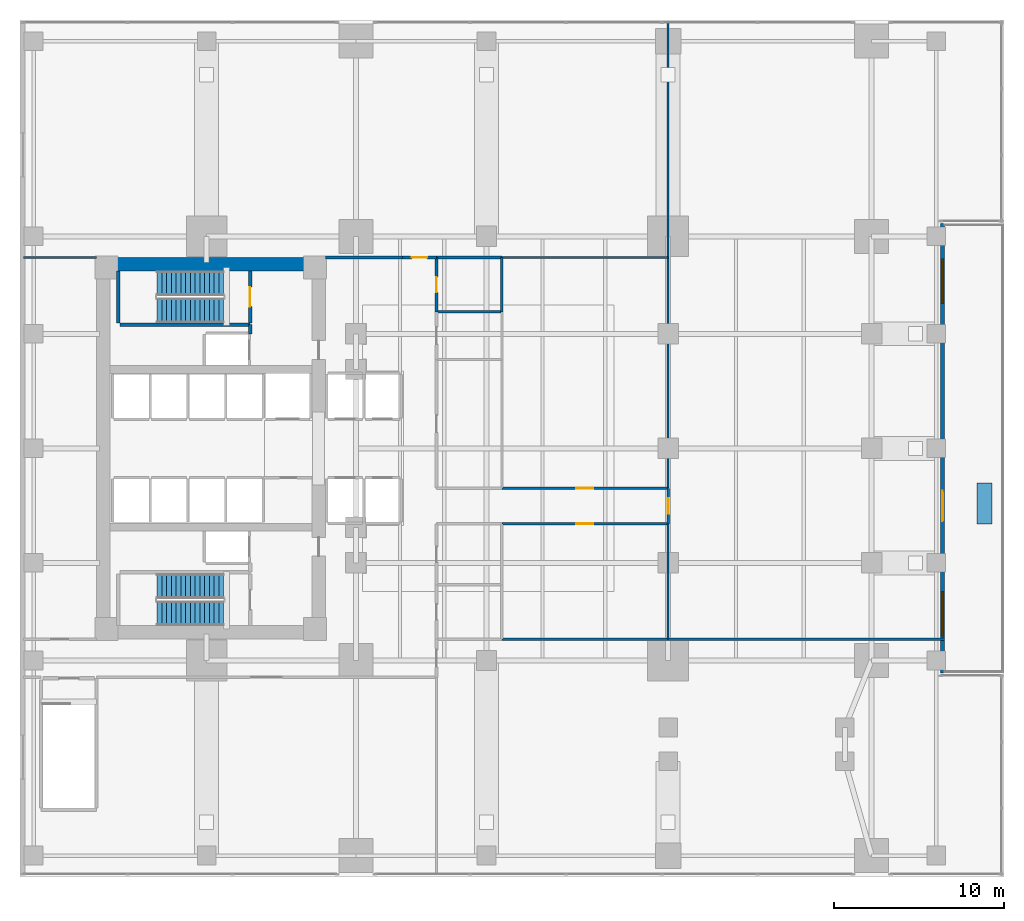
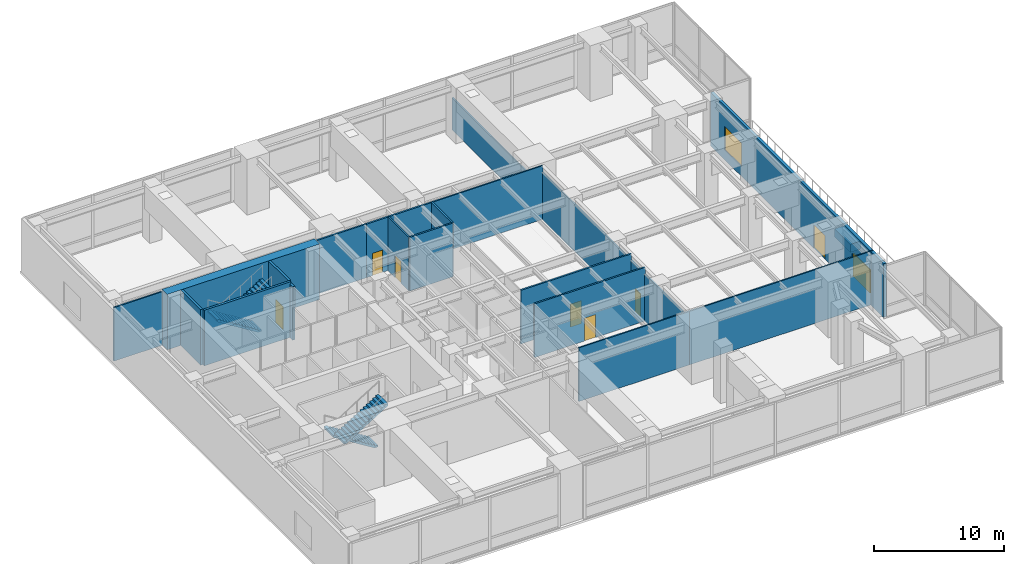
# One storey, part 10 of 14: 22 walls, 7 doors, 4 stair flights, 2 windows, 1 discrete accessory, 9 openings, 2 elements without a shape of their own.
"""IFC4 building model written with IfcOpenShell, lengths in metres."""

from ifc_helpers import new_model, si_unit, direction, frame, frame_2d, origin, origin_2d, place, context, subcontext, project, spatial, polyline, rectangle, outline, extrude, material, layer, layer_set, type_object, element, fill, aggregate, save


model = new_model("IFC4")

# Units and contexts
model_context = context("Model", 3, precision=1e-05, world=origin(), true_north=direction((0.0, 1.0)))
body_context = subcontext(model_context, "Body", "Model", "MODEL_VIEW")
ifc_project = project(units=[si_unit("LENGTHUNIT", "METRE"), si_unit("AREAUNIT", "SQUARE_METRE"), si_unit("VOLUMEUNIT", "CUBIC_METRE"), si_unit("PLANEANGLEUNIT", "RADIAN"), si_unit("MASSUNIT", "GRAM", prefix="KILO")], contexts=[model_context])

# Site, building, storey
site_placement = place(None, origin())
site = spatial("IfcSite", under=ifc_project, at=site_placement, CompositionType="ELEMENT")
building_placement = place(site_placement, origin())
building = spatial("IfcBuilding", under=site, at=building_placement, Name="Kinhvarn Gate Tower", CompositionType="ELEMENT")
storey_placement = place(building_placement, frame((0.0, 0.0, 20.39990234375)))
storey = spatial("IfcBuildingStorey", under=building, at=storey_placement, Name="L04", CompositionType="ELEMENT", Elevation=20.39990234375)

# Wall
ifc_material_1 = material(Name="Concrete C70/85", Category="concrete")
ifc_layer_1 = layer(ifc_material_1, 0.800048828125)
ifc_layer_set_1 = layer_set([ifc_layer_1], Name="Concrete C70/85")
wall_type_1 = type_object("IfcWallType", Name="WL-CORE-800", PredefinedType="SHEAR", material=ifc_layer_set_1)
wall_1_placement = place(storey_placement, frame((4.5, 36.10009765625, 0.0), z_axis=(0.0, 0.0, 1.0), x_axis=(1.0, 0.0, 0.0)))
element("IfcWall", 1, at=wall_1_placement, inside=storey, type_object=wall_type_1, Name="Core North Shear Wall L04 800 mm", PredefinedType="SHEAR", context=body_context, shape_type="SweptSolid", body=[
    extrude(rectangle(XDim=13.5, YDim=0.800048828125, at=frame_2d((6.75, 0.0))), origin(), (0.0, 0.0, 1.0), 5.2001953125),
])

# Wall, openings, door, windows
ifc_material_2 = material(Name="Fired architectural terracotta", Category="masonry")
ifc_layer_2 = layer(ifc_material_2, 0.25)
ifc_layer_set_2 = layer_set([ifc_layer_2], Name="Fired architectural terracotta")
wall_type_2 = type_object("IfcWallType", Name="WL-EXT-250", PredefinedType="SOLIDWALL", material=ifc_layer_set_2)
wall_2_placement = place(storey_placement, frame((54.375, 12.0, 0.0), z_axis=(0.0, 0.0, 1.0), x_axis=(0.0, 1.0, 0.0)))
wall_2 = element("IfcWall", 2, at=wall_2_placement, inside=storey, type_object=wall_type_2, Name="Exterior Solidwall Wall EW-250 (L04 East-Terrace-Wall)", PredefinedType="SOLIDWALL", context=body_context, shape_type="SweptSolid", body=[
    extrude(rectangle(XDim=26.5, YDim=0.25, at=frame_2d((13.25, 0.0))), origin(), (0.0, 0.0, 1.0), 5.02001953125),
])
opening_1_placement = place(wall_2_placement, frame((8.949951171875, 0.0, 0.0)))
opening_1 = element("IfcOpeningElement", 3, at=opening_1_placement, cuts=wall_2, Name="Opening TD-01", PredefinedType="OPENING", context=body_context, shape_type="SweptSolid", body=[
    extrude(rectangle(XDim=1.800048828125, YDim=2.199951171875, at=frame_2d((0.89990234375, 1.10009765625))), frame((0.0, 0.135009765625, 0.0), z_axis=(0.0, -1.0, 0.0), x_axis=(1.0, 0.0, 0.0)), (0.0, 0.0, 1.0), 0.27001953125),
])
opening_2_placement = place(wall_2_placement, frame((2.199951171875, 0.0, 0.89990234375)))
opening_2 = element("IfcOpeningElement", 4, at=opening_2_placement, cuts=wall_2, Name="Opening WN-03", PredefinedType="OPENING", context=body_context, shape_type="SweptSolid", body=[
    extrude(rectangle(XDim=2.60009765625, YDim=2.199951171875, at=frame_2d((1.300048828125, 1.10009765625))), frame((0.0, 0.135009765625, 0.0), z_axis=(0.0, -1.0, 0.0), x_axis=(1.0, 0.0, 0.0)), (0.0, 0.0, 1.0), 0.27001953125),
])
opening_3_placement = place(wall_2_placement, frame((21.800048828125, 0.0, 0.89990234375)))
opening_3 = element("IfcOpeningElement", 5, at=opening_3_placement, cuts=wall_2, Name="Opening WN-03", PredefinedType="OPENING", context=body_context, shape_type="SweptSolid", body=[
    extrude(rectangle(XDim=2.60009765625, YDim=2.199951171875, at=frame_2d((1.300048828125, 1.10009765625))), frame((0.0, 0.135009765625, 0.0), z_axis=(0.0, -1.0, 0.0), x_axis=(1.0, 0.0, 0.0)), (0.0, 0.0, 1.0), 0.27001953125),
])
ifc_material_3 = material(Name="Clear low-e double glazing", Category="glass")
door_type_1 = type_object("IfcDoorType", Name="DR-TER-1800", OperationType="NOTDEFINED", PredefinedType="DOOR", material=ifc_material_3)
door_1_placement = place(opening_1_placement, frame((1.800048828125, 0.0, 0.0), z_axis=(0.0, 0.0, 1.0), x_axis=(-1.0, 0.0, 0.0)))
door_1 = element("IfcDoor", 6, at=door_1_placement, inside=storey, type_object=door_type_1, Name="Podium Setback Terrace Door TD-01", OperationType="DOUBLE_DOOR_SINGLE_SWING", OverallHeight=2.199951171875, OverallWidth=1.800048828125, PredefinedType="DOOR", context=body_context, shape_type="SweptSolid", body=[
    extrude(rectangle(XDim=1.800048828125, YDim=2.199951171875, at=frame_2d((0.89990234375, 1.10009765625))), frame((0.0, 0.02490234375, 0.0), z_axis=(0.0, -1.0, 0.0), x_axis=(1.0, 0.0, 0.0)), (0.0, 0.0, 1.0), 0.050048828125),
])
fill(opening_1, door_1)
window_type = type_object("IfcWindowType", Name="WIN-POD-2600", PartitioningType="SINGLE_PANEL", PredefinedType="WINDOW", material=ifc_material_3)
window_1_placement = place(opening_2_placement, origin())
window_1 = element("IfcWindow", 7, at=window_1_placement, inside=storey, type_object=window_type, Name="Podium Gallery Punched Window 2600x2200 mm (L04)", OverallHeight=2.199951171875, OverallWidth=2.60009765625, PartitioningType="SINGLE_PANEL", PredefinedType="WINDOW", context=body_context, shape_type="SweptSolid", body=[
    extrude(rectangle(XDim=2.60009765625, YDim=2.199951171875, at=frame_2d((1.300048828125, 1.10009765625))), frame((0.0, 0.030029296875, 0.0), z_axis=(0.0, -1.0, 0.0), x_axis=(1.0, 0.0, 0.0)), (0.0, 0.0, 1.0), 0.06005859375),
])
fill(opening_2, window_1)
window_2_placement = place(opening_3_placement, origin())
window_2 = element("IfcWindow", 8, at=window_2_placement, inside=storey, type_object=window_type, Name="Podium Gallery Punched Window 2600x2200 mm (L04)", OverallHeight=2.199951171875, OverallWidth=2.60009765625, PartitioningType="SINGLE_PANEL", PredefinedType="WINDOW", context=body_context, shape_type="SweptSolid", body=[
    extrude(rectangle(XDim=2.60009765625, YDim=2.199951171875, at=frame_2d((1.300048828125, 1.10009765625))), frame((0.0, 0.030029296875, 0.0), z_axis=(0.0, -1.0, 0.0), x_axis=(1.0, 0.0, 0.0)), (0.0, 0.0, 1.0), 0.06005859375),
])
fill(opening_3, window_2)

# Walls
ifc_material_4 = material(Name="Gypsum acoustic partition board")
ifc_layer_3 = layer(ifc_material_4, 0.14990234375)
ifc_layer_set_3 = layer_set([ifc_layer_3], Name="Gypsum acoustic partition board")
wall_type_3 = type_object("IfcWallType", Name="WL-PLM-150", PredefinedType="PLUMBINGWALL", material=ifc_layer_set_3)
for number, where, z_axis, x_axis, name in (
    (9, (24.550048828125, 36.5, 0.0), (0.0, 0.0, 1.0), (1.0, 0.0, 0.0), "Interior Partition PLW-150 (L04)"),
    (10, (24.550048828125, 33.300048828125, 0.0), (0.0, 0.0, 1.0), (1.0, 0.0, 0.0), "Interior Partition PLW-150 (L04)"),
):
    element("IfcWall", number, at=place(storey_placement, frame(where, z_axis=z_axis, x_axis=x_axis)), inside=storey, type_object=wall_type_3, Name=name, PredefinedType="PLUMBINGWALL", context=body_context, shape_type="SweptSolid", body=[
        extrude(rectangle(XDim=3.849853515625, YDim=0.14990234375, at=frame_2d((1.9248046875, 0.0))), origin(), (0.0, 0.0, 1.0), 5.02001953125),
    ])
wall_3_placement = place(storey_placement, frame((28.39990234375, 33.300048828125, 0.0), z_axis=(0.0, 0.0, 1.0), x_axis=(0.0, 1.0, 0.0)))
element("IfcWall", 11, at=wall_3_placement, inside=storey, type_object=wall_type_3, Name="Interior Partition PLW-150 (L04)", PredefinedType="PLUMBINGWALL", context=body_context, shape_type="SweptSolid", body=[
    extrude(rectangle(XDim=3.199951171875, YDim=0.14990234375, at=frame_2d((1.60009765625, 0.0))), origin(), (0.0, 0.0, 1.0), 5.02001953125),
])

# Wall, opening, door
ifc_layer_4 = layer(ifc_material_4, 0.14990234375)
ifc_layer_set_4 = layer_set([ifc_layer_4], Name="Gypsum acoustic partition board")
wall_type_4 = type_object("IfcWallType", Name="WL-PLM-150F", PredefinedType="PLUMBINGWALL", material=ifc_layer_set_4)
wall_4_placement = place(storey_placement, frame((24.550048828125, 33.300048828125, 0.0), z_axis=(0.0, 0.0, 1.0), x_axis=(0.0, 1.0, 0.0)))
wall_4 = element("IfcWall", 12, at=wall_4_placement, inside=storey, type_object=wall_type_4, Name="Interior Partition PLW-150F (L04)", PredefinedType="PLUMBINGWALL", context=body_context, shape_type="SweptSolid", body=[
    extrude(rectangle(XDim=3.199951171875, YDim=0.14990234375, at=frame_2d((1.60009765625, 0.0))), origin(), (0.0, 0.0, 1.0), 5.02001953125),
])
opening_4_placement = place(wall_4_placement, frame((1.14990234375, 0.0, 0.0)))
opening_4 = element("IfcOpeningElement", 13, at=opening_4_placement, cuts=wall_4, Name="Opening FD-04", PredefinedType="OPENING", context=body_context, shape_type="SweptSolid", body=[
    extrude(rectangle(XDim=0.89990234375, YDim=2.10009765625, at=frame_2d((0.449951171875, 1.050048828125))), frame((0.0, 0.0849609375, 0.0), z_axis=(0.0, -1.0, 0.0), x_axis=(1.0, 0.0, 0.0)), (0.0, 0.0, 1.0), 0.169921875),
])
ifc_material_5 = material(Name="Anodised aluminium AW-6063", Category="aluminium")
door_type_2 = type_object("IfcDoorType", Name="DR-FD-900", OperationType="NOTDEFINED", PredefinedType="DOOR", material=ifc_material_5)
door_2_placement = place(opening_4_placement, origin())
door_2 = element("IfcDoor", 14, at=door_2_placement, inside=storey, type_object=door_type_2, Name="Rated Riser & Service Closet Fire Door 900x2100 mm (L04)", OperationType="SINGLE_SWING_RIGHT", OverallHeight=2.10009765625, OverallWidth=0.89990234375, PredefinedType="DOOR", context=body_context, shape_type="SweptSolid", body=[
    extrude(rectangle(XDim=0.89990234375, YDim=2.10009765625, at=frame_2d((0.449951171875, 1.050048828125))), frame((0.0, 0.02490234375, 0.0), z_axis=(0.0, -1.0, 0.0), x_axis=(1.0, 0.0, 0.0)), (0.0, 0.0, 1.0), 0.050048828125),
])
fill(opening_4, door_2)

# Walls
ifc_layer_5 = layer(ifc_material_4, 0.1201171875)
ifc_layer_set_5 = layer_set([ifc_layer_5], Name="Gypsum acoustic partition board")
wall_type_5 = type_object("IfcWallType", Name="WL-PRT-120", PredefinedType="PARTITIONING", material=ifc_layer_set_5)
wall_5_placement = place(storey_placement, frame((0.199951171875, 36.5, 0.0), z_axis=(0.0, 0.0, 1.0), x_axis=(1.0, 0.0, 0.0)))
element("IfcWall", 15, at=wall_5_placement, inside=storey, type_object=wall_type_5, Name="Interior Partition PW-120 (L04)", PredefinedType="PARTITIONING", context=body_context, shape_type="SweptSolid", body=[
    extrude(rectangle(XDim=4.300048828125, YDim=0.1201171875, at=frame_2d((2.14990234375, 0.0))), origin(), (0.0, 0.0, 1.0), 5.02001953125),
])
wall_6_placement = place(storey_placement, frame((28.39990234375, 36.5, 0.0), z_axis=(0.0, 0.0, 1.0), x_axis=(1.0, 0.0, 0.0)))
element("IfcWall", 16, at=wall_6_placement, inside=storey, type_object=wall_type_5, Name="Interior Partition PW-120 (L04)", PredefinedType="PARTITIONING", context=body_context, shape_type="SweptSolid", body=[
    extrude(rectangle(XDim=9.800048828125, YDim=0.1201171875, at=frame_2d((4.89990234375, 0.0))), origin(), (0.0, 0.0, 1.0), 5.02001953125),
])
wall_7_placement = place(storey_placement, frame((38.199951171875, 36.5, 0.0), z_axis=(0.0, 0.0, 1.0), x_axis=(0.0, 1.0, 0.0)))
element("IfcWall", 17, at=wall_7_placement, inside=storey, type_object=wall_type_5, Name="Interior Partition PW-120 (L04)", PredefinedType="PARTITIONING", context=body_context, shape_type="SweptSolid", body=[
    extrude(rectangle(XDim=13.800048828125, YDim=0.1201171875, at=frame_2d((6.89990234375, 0.0))), origin(), (0.0, 0.0, 1.0), 3.0),
])
wall_8_placement = place(storey_placement, frame((28.39990234375, 14.0, 0.0), z_axis=(0.0, 0.0, 1.0), x_axis=(1.0, 0.0, 0.0)))
element("IfcWall", 18, at=wall_8_placement, inside=storey, type_object=wall_type_5, Name="Interior Partition PW-120 (L04)", PredefinedType="PARTITIONING", context=body_context, shape_type="SweptSolid", body=[
    extrude(rectangle(XDim=9.800048828125, YDim=0.1201171875, at=frame_2d((4.89990234375, 0.0))), origin(), (0.0, 0.0, 1.0), 5.02001953125),
])
wall_9_placement = place(storey_placement, frame((38.199951171875, 14.0, 0.0), z_axis=(0.0, 0.0, 1.0), x_axis=(0.0, 1.0, 0.0)))
element("IfcWall", 19, at=wall_9_placement, inside=storey, type_object=wall_type_5, Name="Interior Partition PW-120 (L04)", PredefinedType="PARTITIONING", context=body_context, shape_type="SweptSolid", body=[
    extrude(rectangle(XDim=6.800048828125, YDim=0.1201171875, at=frame_2d((3.39990234375, 0.0))), origin(), (0.0, 0.0, 1.0), 4.420166015625),
])
wall_10_placement = place(storey_placement, frame((38.199951171875, 22.89990234375, 0.0), z_axis=(0.0, 0.0, 1.0), x_axis=(0.0, 1.0, 0.0)))
element("IfcWall", 20, at=wall_10_placement, inside=storey, type_object=wall_type_5, Name="Interior Partition PW-120 (L04)", PredefinedType="PARTITIONING", context=body_context, shape_type="SweptSolid", body=[
    extrude(rectangle(XDim=13.60009765625, YDim=0.1201171875, at=frame_2d((6.800048828125, 0.0))), origin(), (0.0, 0.0, 1.0), 4.420166015625),
])
wall_11_placement = place(storey_placement, frame((38.199951171875, 14.0, 0.0), z_axis=(0.0, 0.0, 1.0), x_axis=(1.0, 0.0, 0.0)))
element("IfcWall", 21, at=wall_11_placement, inside=storey, type_object=wall_type_5, Name="Interior Partition PW-120 (L04)", PredefinedType="PARTITIONING", context=body_context, shape_type="SweptSolid", body=[
    extrude(rectangle(XDim=16.2900390625, YDim=0.1201171875, at=frame_2d((8.14501953125, 0.0))), origin(), (0.0, 0.0, 1.0), 5.02001953125),
])
ifc_layer_6 = layer(ifc_material_4, 0.14990234375)
ifc_layer_set_6 = layer_set([ifc_layer_6], Name="Gypsum acoustic partition board")
wall_type_6 = type_object("IfcWallType", Name="WL-PRT-150F", PredefinedType="PARTITIONING", material=ifc_layer_set_6)
wall_12_placement = place(storey_placement, frame((18.0, 36.5, 0.0), z_axis=(0.0, 0.0, 1.0), x_axis=(1.0, 0.0, 0.0)))
element("IfcWall", 22, at=wall_12_placement, inside=storey, type_object=wall_type_6, Name="Interior Partition PW-150F (L04)", PredefinedType="PARTITIONING", context=body_context, shape_type="SweptSolid", body=[
    extrude(rectangle(XDim=4.550048828125, YDim=0.14990234375, at=frame_2d((2.27490234375, 0.0))), origin(), (0.0, 0.0, 1.0), 5.02001953125),
])

# Wall, opening, door
wall_13_placement = place(storey_placement, frame((22.550048828125, 36.5, 0.0), z_axis=(0.0, 0.0, 1.0), x_axis=(1.0, 0.0, 0.0)))
wall_13 = element("IfcWall", 23, at=wall_13_placement, inside=storey, type_object=wall_type_6, Name="Interior Partition PW-150F (L04)", PredefinedType="PARTITIONING", context=body_context, shape_type="SweptSolid", body=[
    extrude(rectangle(XDim=2.0, YDim=0.14990234375, at=frame_2d((1.0, 0.0))), origin(), (0.0, 0.0, 1.0), 5.02001953125),
])
opening_5_placement = place(wall_13_placement, frame((0.550048828125, 0.0, 0.0)))
opening_5 = element("IfcOpeningElement", 24, at=opening_5_placement, cuts=wall_13, Name="Opening ID-03", PredefinedType="OPENING", context=body_context, shape_type="SweptSolid", body=[
    extrude(rectangle(XDim=0.89990234375, YDim=2.10009765625, at=frame_2d((0.449951171875, 1.050048828125))), frame((0.0, 0.0849609375, 0.0), z_axis=(0.0, -1.0, 0.0), x_axis=(1.0, 0.0, 0.0)), (0.0, 0.0, 1.0), 0.169921875),
])
door_type_3 = type_object("IfcDoorType", Name="DR-INT-900", OperationType="NOTDEFINED", PredefinedType="DOOR", material=ifc_material_5)
door_3_placement = place(opening_5_placement, origin())
door_3 = element("IfcDoor", 25, at=door_3_placement, inside=storey, type_object=door_type_3, Name="Cellular Office & Restroom Door 900x2100 mm (L04)", OperationType="SINGLE_SWING_RIGHT", OverallHeight=2.10009765625, OverallWidth=0.89990234375, PredefinedType="DOOR", context=body_context, shape_type="SweptSolid", body=[
    extrude(rectangle(XDim=0.89990234375, YDim=2.10009765625, at=frame_2d((0.449951171875, 1.050048828125))), frame((0.0, 0.02490234375, 0.0), z_axis=(0.0, -1.0, 0.0), x_axis=(1.0, 0.0, 0.0)), (0.0, 0.0, 1.0), 0.050048828125),
])
fill(opening_5, door_3)

wall_14_placement = place(storey_placement, frame((28.39990234375, 20.800048828125, 0.0), z_axis=(0.0, 0.0, 1.0), x_axis=(1.0, 0.0, 0.0)))
wall_14 = element("IfcWall", 26, at=wall_14_placement, inside=storey, type_object=wall_type_6, Name="Interior Partition PW-150F (L04)", PredefinedType="PARTITIONING", context=body_context, shape_type="SweptSolid", body=[
    extrude(rectangle(XDim=9.800048828125, YDim=0.14990234375, at=frame_2d((4.89990234375, 0.0))), origin(), (0.0, 0.0, 1.0), 5.02001953125),
])
opening_6_placement = place(wall_14_placement, frame((4.39990234375, 0.0, 0.0)))
opening_6 = element("IfcOpeningElement", 27, at=opening_6_placement, cuts=wall_14, Name="Opening ID-02", PredefinedType="OPENING", context=body_context, shape_type="SweptSolid", body=[
    extrude(rectangle(XDim=1.0, YDim=2.14990234375, at=frame_2d((0.5, 1.074951171875))), frame((0.0, 0.0849609375, 0.0), z_axis=(0.0, -1.0, 0.0), x_axis=(1.0, 0.0, 0.0)), (0.0, 0.0, 1.0), 0.169921875),
])
door_type_4 = type_object("IfcDoorType", Name="DR-INT-1000", OperationType="NOTDEFINED", PredefinedType="DOOR", material=ifc_material_5)
door_4_placement = place(opening_6_placement, origin())
door_4 = element("IfcDoor", 28, at=door_4_placement, inside=storey, type_object=door_type_4, Name="Standard Office & Meeting Room Door 1000x2150 mm (L04)", OperationType="SINGLE_SWING_RIGHT", OverallHeight=2.14990234375, OverallWidth=1.0, PredefinedType="DOOR", context=body_context, shape_type="SweptSolid", body=[
    extrude(rectangle(XDim=1.0, YDim=2.14990234375, at=frame_2d((0.5, 1.074951171875))), frame((0.0, 0.02490234375, 0.0), z_axis=(0.0, -1.0, 0.0), x_axis=(1.0, 0.0, 0.0)), (0.0, 0.0, 1.0), 0.050048828125),
])
fill(opening_6, door_4)

wall_15_placement = place(storey_placement, frame((28.39990234375, 22.89990234375, 0.0), z_axis=(0.0, 0.0, 1.0), x_axis=(1.0, 0.0, 0.0)))
wall_15 = element("IfcWall", 29, at=wall_15_placement, inside=storey, type_object=wall_type_6, Name="Interior Partition PW-150F (L04)", PredefinedType="PARTITIONING", context=body_context, shape_type="SweptSolid", body=[
    extrude(rectangle(XDim=9.800048828125, YDim=0.14990234375, at=frame_2d((4.89990234375, 0.0))), origin(), (0.0, 0.0, 1.0), 5.02001953125),
])
opening_7_placement = place(wall_15_placement, frame((4.39990234375, 0.0, 0.0)))
opening_7 = element("IfcOpeningElement", 30, at=opening_7_placement, cuts=wall_15, Name="Opening ID-02", PredefinedType="OPENING", context=body_context, shape_type="SweptSolid", body=[
    extrude(rectangle(XDim=1.0, YDim=2.14990234375, at=frame_2d((0.5, 1.074951171875))), frame((0.0, 0.0849609375, 0.0), z_axis=(0.0, -1.0, 0.0), x_axis=(1.0, 0.0, 0.0)), (0.0, 0.0, 1.0), 0.169921875),
])
door_5_placement = place(opening_7_placement, origin())
door_5 = element("IfcDoor", 31, at=door_5_placement, inside=storey, type_object=door_type_4, Name="Standard Office & Meeting Room Door 1000x2150 mm (L04)", OperationType="SINGLE_SWING_LEFT", OverallHeight=2.14990234375, OverallWidth=1.0, PredefinedType="DOOR", context=body_context, shape_type="SweptSolid", body=[
    extrude(rectangle(XDim=1.0, YDim=2.14990234375, at=frame_2d((0.5, 1.074951171875))), frame((0.0, 0.02490234375, 0.0), z_axis=(0.0, -1.0, 0.0), x_axis=(1.0, 0.0, 0.0)), (0.0, 0.0, 1.0), 0.050048828125),
])
fill(opening_7, door_5)

wall_16_placement = place(storey_placement, frame((38.199951171875, 20.800048828125, 0.0), z_axis=(0.0, 0.0, 1.0), x_axis=(0.0, 1.0, 0.0)))
wall_16 = element("IfcWall", 32, at=wall_16_placement, inside=storey, type_object=wall_type_6, Name="Interior Partition PW-150F (L04)", PredefinedType="PARTITIONING", context=body_context, shape_type="SweptSolid", body=[
    extrude(rectangle(XDim=2.099853515625, YDim=0.14990234375, at=frame_2d((1.0498046875, 0.0))), origin(), (0.0, 0.0, 1.0), 4.420166015625),
])
opening_8_placement = place(wall_16_placement, frame((0.60009765625, 0.0, 0.0)))
opening_8 = element("IfcOpeningElement", 33, at=opening_8_placement, cuts=wall_16, Name="Opening ID-03", PredefinedType="OPENING", context=body_context, shape_type="SweptSolid", body=[
    extrude(rectangle(XDim=0.89990234375, YDim=2.10009765625, at=frame_2d((0.449951171875, 1.050048828125))), frame((0.0, 0.0849609375, 0.0), z_axis=(0.0, -1.0, 0.0), x_axis=(1.0, 0.0, 0.0)), (0.0, 0.0, 1.0), 0.169921875),
])
door_6_placement = place(opening_8_placement, origin())
door_6 = element("IfcDoor", 34, at=door_6_placement, inside=storey, type_object=door_type_3, Name="Cellular Office & Restroom Door 900x2100 mm (L04)", OperationType="SINGLE_SWING_RIGHT", OverallHeight=2.10009765625, OverallWidth=0.89990234375, PredefinedType="DOOR", context=body_context, shape_type="SweptSolid", body=[
    extrude(rectangle(XDim=0.89990234375, YDim=2.10009765625, at=frame_2d((0.449951171875, 1.050048828125))), frame((0.0, 0.02490234375, 0.0), z_axis=(0.0, -1.0, 0.0), x_axis=(1.0, 0.0, 0.0)), (0.0, 0.0, 1.0), 0.050048828125),
])
fill(opening_8, door_6)

# Walls
ifc_layer_7 = layer(ifc_material_4, 0.199951171875)
ifc_layer_set_7 = layer_set([ifc_layer_7], Name="Gypsum acoustic partition board")
wall_type_7 = type_object("IfcWallType", Name="WL-PRT-200", PredefinedType="PARTITIONING", material=ifc_layer_set_7)
wall_17_placement = place(storey_placement, frame((13.580078125, 32.0, 0.0), z_axis=(0.0, 0.0, 1.0), x_axis=(0.0, 1.0, 0.0)))
element("IfcWall", 35, at=wall_17_placement, inside=storey, type_object=wall_type_7, Name="Interior Partition PW-200 (L04)", PredefinedType="PARTITIONING", context=body_context, shape_type="SweptSolid", body=[
    extrude(rectangle(XDim=0.5400390625, YDim=0.199951171875, at=frame_2d((0.27001953125, 0.0))), origin(), (0.0, 0.0, 1.0), 5.02001953125),
])
ifc_material_6 = material(Name="Concrete C40/50", Category="concrete")
ifc_layer_8 = layer(ifc_material_6, 0.199951171875)
ifc_layer_set_8 = layer_set([ifc_layer_8], Name="Concrete C40/50")
wall_type_8 = type_object("IfcWallType", Name="WL-SHF-200", PredefinedType="SOLIDWALL", material=ifc_layer_set_8)
wall_18_placement = place(storey_placement, frame((5.7900390625, 32.64990234375, 0.0), z_axis=(0.0, 0.0, 1.0), x_axis=(0.0, 1.0, 0.0)))
element("IfcWall", 36, at=wall_18_placement, inside=storey, type_object=wall_type_8, Name="Stair ST2 West Shaft Wall (L04)", PredefinedType="SOLIDWALL", context=body_context, shape_type="SweptSolid", body=[
    extrude(rectangle(XDim=3.050048828125, YDim=0.199951171875, at=frame_2d((1.52490234375, 0.0))), origin(), (0.0, 0.0, 1.0), 5.2001953125),
])
wall_19_placement = place(storey_placement, frame((5.89990234375, 32.5400390625, 0.0), z_axis=(0.0, 0.0, 1.0), x_axis=(1.0, 0.0, 0.0)))
element("IfcWall", 37, at=wall_19_placement, inside=storey, type_object=wall_type_8, Name="Stair ST2 South Shaft Wall (L04)", PredefinedType="SOLIDWALL", context=body_context, shape_type="SweptSolid", body=[
    extrude(rectangle(XDim=7.66015625, YDim=0.199951171875, at=frame_2d((3.830078125, 0.0))), origin(), (0.0, 0.0, 1.0), 5.2001953125),
])

# Wall, opening, door
wall_20_placement = place(storey_placement, frame((13.56005859375, 32.64990234375, 0.0), z_axis=(0.0, 0.0, 1.0), x_axis=(0.0, 1.0, 0.0)))
wall_20 = element("IfcWall", 38, at=wall_20_placement, inside=storey, type_object=wall_type_8, Name="Stair ST2 East Entry Wall (L04)", PredefinedType="SOLIDWALL", context=body_context, shape_type="SweptSolid", body=[
    extrude(rectangle(XDim=3.050048828125, YDim=0.199951171875, at=frame_2d((1.52490234375, 0.0))), origin(), (0.0, 0.0, 1.0), 5.2001953125),
])
opening_9_placement = place(wall_20_placement, frame((0.949951171875, 0.0, 0.0)))
opening_9 = element("IfcOpeningElement", 39, at=opening_9_placement, cuts=wall_20, Name="Opening FD-01", PredefinedType="OPENING", context=body_context, shape_type="SweptSolid", body=[
    extrude(rectangle(XDim=1.14990234375, YDim=2.14990234375, at=frame_2d((0.574951171875, 1.074951171875))), frame((0.0, 0.10986328125, 0.0), z_axis=(0.0, -1.0, 0.0), x_axis=(1.0, 0.0, 0.0)), (0.0, 0.0, 1.0), 0.219970703125),
])
door_type_5 = type_object("IfcDoorType", Name="DR-ST-1150", OperationType="NOTDEFINED", PredefinedType="DOOR", material=ifc_material_5)
door_7_placement = place(opening_9_placement, origin())
door_7 = element("IfcDoor", 40, at=door_7_placement, inside=storey, type_object=door_type_5, Name="Exit Stair ST2 Fire Door (L04)", OperationType="SINGLE_SWING_LEFT", OverallHeight=2.14990234375, OverallWidth=1.14990234375, PredefinedType="DOOR", context=body_context, shape_type="SweptSolid", body=[
    extrude(rectangle(XDim=1.14990234375, YDim=2.14990234375, at=frame_2d((0.574951171875, 1.074951171875))), frame((0.0, 0.02490234375, 0.0), z_axis=(0.0, -1.0, 0.0), x_axis=(1.0, 0.0, 0.0)), (0.0, 0.0, 1.0), 0.050048828125),
])
fill(opening_9, door_7)

# Stair, stair flights
stair_type = type_object("IfcStairType", Name="STR-DLG-173", PredefinedType="HALF_TURN_STAIR", material=ifc_material_6)
stair_1_placement = place(storey_placement, origin())
stair_1 = element("IfcStair", 41, at=stair_1_placement, inside=storey, type_object=stair_type, Name="L04 Core Smokeproof Exit Stair ST1", PredefinedType="HALF_TURN_STAIR")
stair_flight_type = type_object("IfcStairFlightType", Name="STF-DLG-173", PredefinedType="STRAIGHT", material=ifc_material_6)
stair_flight_1_placement = place(storey_placement, frame((12.0, 17.125, 0.0), z_axis=(0.0, 0.0, 1.0), x_axis=(-1.0, 0.0, 0.0)))
stair_flight_1 = element("IfcStairFlight", 42, at=stair_flight_1_placement, type_object=stair_flight_type, Name="ST1 flight 1", NumberOfRisers=15, NumberOfTreads=14, PredefinedType="STRAIGHT", RiserHeight=0.173333333, TreadLength=0.28, context=body_context, shape_type="SweptSolid", body=[
    extrude(outline(polyline([(0.0, 0.0), (0.0, 0.17333984375), (0.280029296875, 0.17333984375), (0.280029296875, 0.3466796875), (0.56005859375, 0.3466796875), (0.56005859375, 0.52001953125), (0.840087890625, 0.52001953125), (0.840087890625, 0.693359375), (1.1201171875, 0.693359375), (1.1201171875, 0.86669921875), (1.39990234375, 0.86669921875), (1.39990234375, 1.0400390625), (1.679931640625, 1.0400390625), (1.679931640625, 1.21337890625), (1.9599609375, 1.21337890625), (1.9599609375, 1.38671875), (2.239990234375, 1.38671875), (2.239990234375, 1.56005859375), (2.52001953125, 1.56005859375), (2.52001953125, 1.7333984375), (2.800048828125, 1.7333984375), (2.800048828125, 1.90673828125), (3.080078125, 1.90673828125), (3.080078125, 2.080078125), (3.360107421875, 2.080078125), (3.360107421875, 2.25341796875), (3.639892578125, 2.25341796875), (3.639892578125, 2.4267578125), (3.919921875, 2.4267578125), (3.919921875, 2.60009765625), (3.919921875, 2.250244140625), (0.284912109375, 0.0), (0.0, 0.0)])), frame((0.0, 0.72509765625, 0.0), z_axis=(0.0, -1.0, 0.0), x_axis=(1.0, 0.0, 0.0)), (0.0, 0.0, 1.0), 1.449951171875),
])
stair_flight_2_placement = place(storey_placement, frame((8.080078125, 15.52490234375, 2.60009765625), z_axis=(0.0, 0.0, 1.0), x_axis=(1.0, 0.0, 0.0)))
stair_flight_2 = element("IfcStairFlight", 43, at=stair_flight_2_placement, type_object=stair_flight_type, Name="ST1 flight 2", NumberOfRisers=15, NumberOfTreads=14, PredefinedType="STRAIGHT", RiserHeight=0.173333333, TreadLength=0.28, context=body_context, shape_type="SweptSolid", body=[
    extrude(outline(polyline([(0.0, 0.0), (0.0, 0.17333984375), (0.280029296875, 0.17333984375), (0.280029296875, 0.3466796875), (0.56005859375, 0.3466796875), (0.56005859375, 0.52001953125), (0.840087890625, 0.52001953125), (0.840087890625, 0.693359375), (1.1201171875, 0.693359375), (1.1201171875, 0.86669921875), (1.39990234375, 0.86669921875), (1.39990234375, 1.0400390625), (1.679931640625, 1.0400390625), (1.679931640625, 1.21337890625), (1.9599609375, 1.21337890625), (1.9599609375, 1.38671875), (2.239990234375, 1.38671875), (2.239990234375, 1.56005859375), (2.52001953125, 1.56005859375), (2.52001953125, 1.7333984375), (2.800048828125, 1.7333984375), (2.800048828125, 1.90673828125), (3.080078125, 1.90673828125), (3.080078125, 2.080078125), (3.360107421875, 2.080078125), (3.360107421875, 2.25341796875), (3.639892578125, 2.25341796875), (3.639892578125, 2.4267578125), (3.919921875, 2.4267578125), (3.919921875, 2.60009765625), (3.919921875, 2.250244140625), (0.284912109375, 0.0), (0.0, 0.0)])), frame((0.0, 0.72509765625, 0.0), z_axis=(0.0, -1.0, 0.0), x_axis=(1.0, 0.0, 0.0)), (0.0, 0.0, 1.0), 1.449951171875),
])
aggregate(stair_1, [stair_flight_1, stair_flight_2])

stair_2_placement = place(storey_placement, origin())
stair_2 = element("IfcStair", 44, at=stair_2_placement, inside=storey, type_object=stair_type, Name="L04 Core Smokeproof Exit Stair ST2", PredefinedType="HALF_TURN_STAIR")
stair_flight_3_placement = place(storey_placement, frame((12.0, 34.97509765625, 0.0), z_axis=(0.0, 0.0, 1.0), x_axis=(-1.0, 0.0, 0.0)))
stair_flight_3 = element("IfcStairFlight", 45, at=stair_flight_3_placement, type_object=stair_flight_type, Name="ST2 flight 1", NumberOfRisers=15, NumberOfTreads=14, PredefinedType="STRAIGHT", RiserHeight=0.173333333, TreadLength=0.28, context=body_context, shape_type="SweptSolid", body=[
    extrude(outline(polyline([(0.0, 0.0), (0.0, 0.17333984375), (0.280029296875, 0.17333984375), (0.280029296875, 0.3466796875), (0.56005859375, 0.3466796875), (0.56005859375, 0.52001953125), (0.840087890625, 0.52001953125), (0.840087890625, 0.693359375), (1.1201171875, 0.693359375), (1.1201171875, 0.86669921875), (1.39990234375, 0.86669921875), (1.39990234375, 1.0400390625), (1.679931640625, 1.0400390625), (1.679931640625, 1.21337890625), (1.9599609375, 1.21337890625), (1.9599609375, 1.38671875), (2.239990234375, 1.38671875), (2.239990234375, 1.56005859375), (2.52001953125, 1.56005859375), (2.52001953125, 1.7333984375), (2.800048828125, 1.7333984375), (2.800048828125, 1.90673828125), (3.080078125, 1.90673828125), (3.080078125, 2.080078125), (3.360107421875, 2.080078125), (3.360107421875, 2.25341796875), (3.639892578125, 2.25341796875), (3.639892578125, 2.4267578125), (3.919921875, 2.4267578125), (3.919921875, 2.60009765625), (3.919921875, 2.250244140625), (0.284912109375, 0.0), (0.0, 0.0)])), frame((0.0, 0.72509765625, 0.0), z_axis=(0.0, -1.0, 0.0), x_axis=(1.0, 0.0, 0.0)), (0.0, 0.0, 1.0), 1.449951171875),
])
stair_flight_4_placement = place(storey_placement, frame((8.080078125, 33.375, 2.60009765625), z_axis=(0.0, 0.0, 1.0), x_axis=(1.0, 0.0, 0.0)))
stair_flight_4 = element("IfcStairFlight", 46, at=stair_flight_4_placement, type_object=stair_flight_type, Name="ST2 flight 2", NumberOfRisers=15, NumberOfTreads=14, PredefinedType="STRAIGHT", RiserHeight=0.173333333, TreadLength=0.28, context=body_context, shape_type="SweptSolid", body=[
    extrude(outline(polyline([(0.0, 0.0), (0.0, 0.17333984375), (0.280029296875, 0.17333984375), (0.280029296875, 0.3466796875), (0.56005859375, 0.3466796875), (0.56005859375, 0.52001953125), (0.840087890625, 0.52001953125), (0.840087890625, 0.693359375), (1.1201171875, 0.693359375), (1.1201171875, 0.86669921875), (1.39990234375, 0.86669921875), (1.39990234375, 1.0400390625), (1.679931640625, 1.0400390625), (1.679931640625, 1.21337890625), (1.9599609375, 1.21337890625), (1.9599609375, 1.38671875), (2.239990234375, 1.38671875), (2.239990234375, 1.56005859375), (2.52001953125, 1.56005859375), (2.52001953125, 1.7333984375), (2.800048828125, 1.7333984375), (2.800048828125, 1.90673828125), (3.080078125, 1.90673828125), (3.080078125, 2.080078125), (3.360107421875, 2.080078125), (3.360107421875, 2.25341796875), (3.639892578125, 2.25341796875), (3.639892578125, 2.4267578125), (3.919921875, 2.4267578125), (3.919921875, 2.60009765625), (3.919921875, 2.250244140625), (0.284912109375, 0.0), (0.0, 0.0)])), frame((0.0, 0.72509765625, 0.0), z_axis=(0.0, -1.0, 0.0), x_axis=(1.0, 0.0, 0.0)), (0.0, 0.0, 1.0), 1.449951171875),
])
aggregate(stair_2, [stair_flight_3, stair_flight_4])

# Discrete accessory
ifc_material_7 = material(Name="Precast white architectural concrete C40/50", Category="concrete")
discrete_accessory_type = type_object("IfcDiscreteAccessoryType", Name="ACC-PLN-01", PredefinedType="USERDEFINED", material=ifc_material_7)
discrete_accessory_placement = place(storey_placement, frame((56.85009765625, 22.0, 0.0), z_axis=(0.0, 0.0, 1.0), x_axis=(1.0, 0.0, 0.0)))
element("IfcDiscreteAccessory", 47, at=discrete_accessory_placement, inside=storey, type_object=discrete_accessory_type, Name="Podium Terrace Landscape Planter PLN-01", ObjectType="PLANTER", PredefinedType="USERDEFINED", context=body_context, shape_type="SweptSolid", body=[
    extrude(rectangle(XDim=0.89990234375, YDim=2.39990234375, at=origin_2d()), origin(), (0.0, 0.0, 1.0), 0.75),
])

save(model, "model.ifc")
